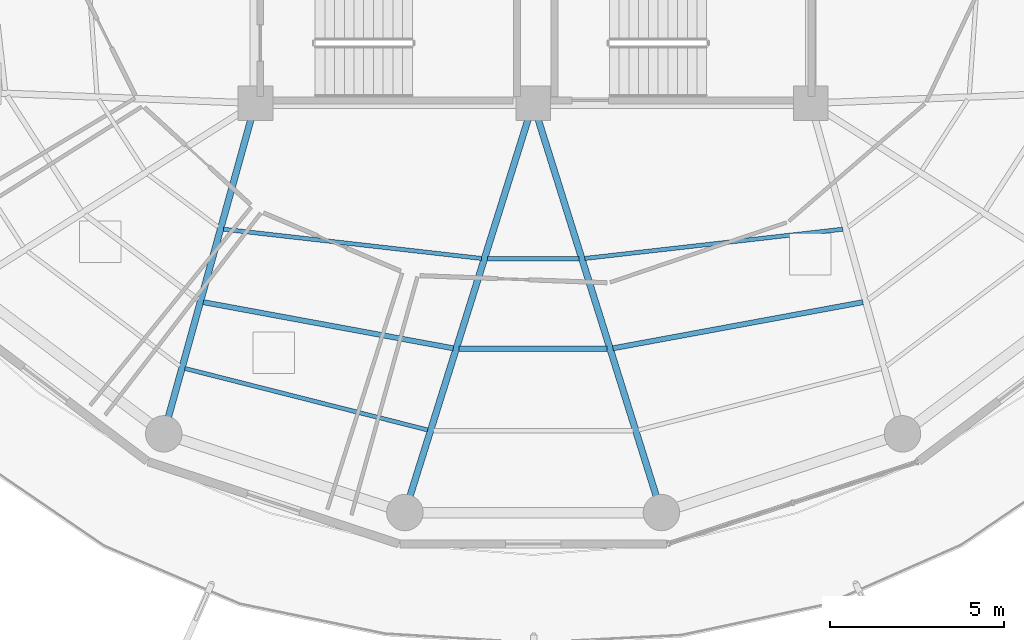
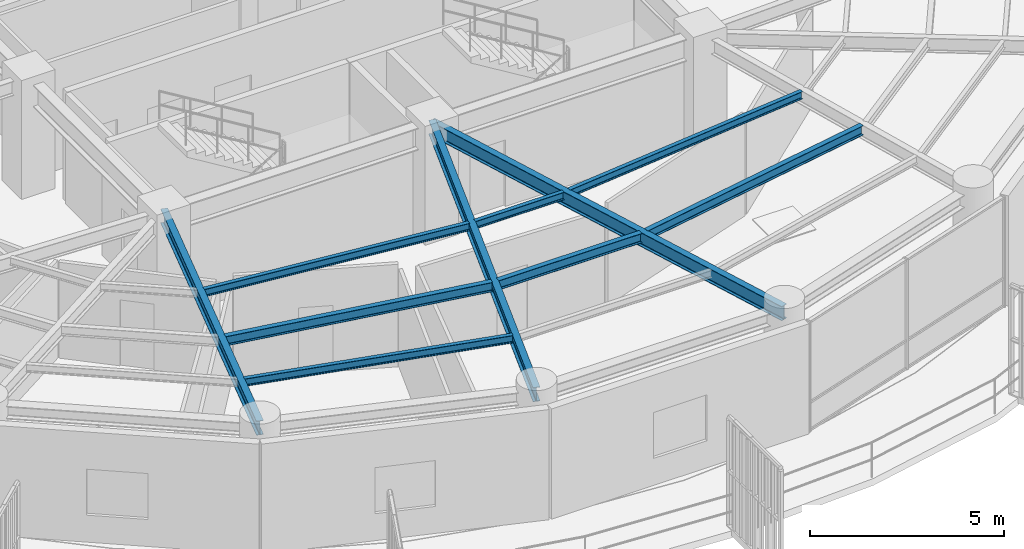
# One storey, part 5 of 31: 10 beams.
"""IFC4 building model written with IfcOpenShell, lengths in metres."""

from ifc_helpers import new_model, si_unit, direction, frame, origin, origin_2d, place, context, subcontext, project, spatial, i_section, extrude, material, material_profile, profile_set, type_object, element, save


model = new_model("IFC4")

# Units and contexts
model_context = context("Model", 3, precision=1e-05, world=origin(), true_north=direction((0.0, 1.0)))
body_context = subcontext(model_context, "Body", "Model", "MODEL_VIEW")
ifc_project = project(units=[si_unit("LENGTHUNIT", "METRE"), si_unit("AREAUNIT", "SQUARE_METRE"), si_unit("VOLUMEUNIT", "CUBIC_METRE"), si_unit("PLANEANGLEUNIT", "RADIAN"), si_unit("MASSUNIT", "GRAM", prefix="KILO")], contexts=[model_context])

# Site, building, storey
site_placement = place(None, origin())
site = spatial("IfcSite", under=ifc_project, at=site_placement, CompositionType="ELEMENT")
building_placement = place(site_placement, origin())
building = spatial("IfcBuilding", under=site, at=building_placement, Name="Kelanora Arch Commons", CompositionType="ELEMENT")
storey_placement = place(building_placement, frame((0.0, 0.0, 223.199951171875)))
storey = spatial("IfcBuildingStorey", under=building, at=storey_placement, Name="L57", CompositionType="ELEMENT", Elevation=223.199951171875)

# Beams
ifc_material = material(Name="Steel S355", Category="steel")
ifc_material_profile_1 = material_profile(ifc_material, i_section(OverallWidth=0.14990234375, OverallDepth=0.300048828125, WebThickness=0.007080078125, FlangeThickness=0.0107421875, FilletRadius=0.014892578125, at=origin_2d()), Name="IPE300")
ifc_profile_set_1 = profile_set([ifc_material_profile_1], Name="Steel S355")
beam_type_1 = type_object("IfcBeamType", Name="BM-JST-01", PredefinedType="JOIST", material=ifc_profile_set_1)
beam_1_placement = place(storey_placement, frame((64.49951171875, 45.270263671875, 3.340087890625), z_axis=(0.983389964671, -0.181505309519, 0.0), x_axis=(0.181505309519, 0.983389964671, 0.0)))
element("IfcBeam", 1, at=beam_1_placement, inside=storey, type_object=beam_type_1, Name="Secondary Chord Joist BJB-24 L57", PredefinedType="JOIST", context=body_context, shape_type="SweptSolid", body=[
    extrude(i_section(OverallWidth=0.14990234375, OverallDepth=0.300048828125, WebThickness=0.007080078125, FlangeThickness=0.0107421875, FilletRadius=0.014892578125, at=origin_2d()), origin(), (0.0, 0.0, 1.0), 7.3212890625),
])
beam_2_placement = place(storey_placement, frame((71.867919921875, 43.92578125, 3.340087890625), z_axis=(1.0, 0.0, 0.0), x_axis=(0.0, 1.0, 0.0)))
element("IfcBeam", 2, at=beam_2_placement, inside=storey, type_object=beam_type_1, Name="Secondary Chord Joist BJB-26 L57", PredefinedType="JOIST", context=body_context, shape_type="SweptSolid", body=[
    extrude(i_section(OverallWidth=0.14990234375, OverallDepth=0.300048828125, WebThickness=0.007080078125, FlangeThickness=0.0107421875, FilletRadius=0.014892578125, at=origin_2d()), origin(), (0.0, 0.0, 1.0), 4.26416015625),
])
beam_3_placement = place(storey_placement, frame((76.30078125, 43.94140625, 3.340087890625), z_axis=(0.983389964671, 0.181505309519, 0.0), x_axis=(-0.181505309519, 0.983389964671, 0.0)))
element("IfcBeam", 3, at=beam_3_placement, inside=storey, type_object=beam_type_1, Name="Secondary Chord Joist BJB-28 L57", PredefinedType="JOIST", context=body_context, shape_type="SweptSolid", body=[
    extrude(i_section(OverallWidth=0.14990234375, OverallDepth=0.300048828125, WebThickness=0.007080078125, FlangeThickness=0.0107421875, FilletRadius=0.014892578125, at=origin_2d()), origin(), (0.0, 0.0, 1.0), 7.3212890625),
])
ifc_material_profile_2 = material_profile(ifc_material, i_section(OverallWidth=0.1201171875, OverallDepth=0.239990234375, WebThickness=0.006103515625, FlangeThickness=0.009765625, FilletRadius=0.014892578125, at=origin_2d()), Name="IPE240")
ifc_profile_set_2 = profile_set([ifc_material_profile_2], Name="Steel S355")
beam_type_2 = type_object("IfcBeamType", Name="BM-JST-02", PredefinedType="JOIST", material=ifc_profile_set_2)
beam_4_placement = place(storey_placement, frame((65.081298828125, 47.371337890625, 3.3701171875), z_axis=(0.993639672263, -0.11260640171, 0.0), x_axis=(0.11260640171, 0.993639672263, 0.0)))
element("IfcBeam", 4, at=beam_4_placement, inside=storey, type_object=beam_type_2, Name="Secondary Chord Joist BJA-24 L57", PredefinedType="JOIST", context=body_context, shape_type="SweptSolid", body=[
    extrude(i_section(OverallWidth=0.1201171875, OverallDepth=0.239990234375, WebThickness=0.006103515625, FlangeThickness=0.009765625, FilletRadius=0.014892578125, at=origin_2d()), origin(), (0.0, 0.0, 1.0), 7.477783203125),
])
beam_5_placement = place(storey_placement, frame((63.970458984375, 43.360107421875, 3.3701171875), z_axis=(0.969370989998, -0.245601066263, 0.0), x_axis=(0.245601066263, 0.969370989998, 0.0)))
element("IfcBeam", 5, at=beam_5_placement, inside=storey, type_object=beam_type_2, Name="Secondary Chord Joist BJC-24 L57", PredefinedType="JOIST", context=body_context, shape_type="SweptSolid", body=[
    extrude(i_section(OverallWidth=0.1201171875, OverallDepth=0.239990234375, WebThickness=0.006103515625, FlangeThickness=0.009765625, FilletRadius=0.014892578125, at=origin_2d()), origin(), (0.0, 0.0, 1.0), 7.2119140625),
])
beam_6_placement = place(storey_placement, frame((72.680908203125, 46.519775390625, 3.3701171875), z_axis=(1.0, 0.0, 0.0), x_axis=(0.0, 1.0, 0.0)))
element("IfcBeam", 6, at=beam_6_placement, inside=storey, type_object=beam_type_2, Name="Secondary Chord Joist BJA-26 L57", PredefinedType="JOIST", context=body_context, shape_type="SweptSolid", body=[
    extrude(i_section(OverallWidth=0.1201171875, OverallDepth=0.239990234375, WebThickness=0.006103515625, FlangeThickness=0.009765625, FilletRadius=0.014892578125, at=origin_2d()), origin(), (0.0, 0.0, 1.0), 2.63818359375),
])
beam_7_placement = place(storey_placement, frame((75.488525390625, 46.529296875, 3.3701171875), z_axis=(0.993639672263, 0.11260640171, 0.0), x_axis=(-0.11260640171, 0.993639672263, 0.0)))
element("IfcBeam", 7, at=beam_7_placement, inside=storey, type_object=beam_type_2, Name="Secondary Chord Joist BJA-28 L57", PredefinedType="JOIST", context=body_context, shape_type="SweptSolid", body=[
    extrude(i_section(OverallWidth=0.1201171875, OverallDepth=0.239990234375, WebThickness=0.006103515625, FlangeThickness=0.009765625, FilletRadius=0.014892578125, at=origin_2d()), origin(), (0.0, 0.0, 1.0), 7.477783203125),
])
ifc_material_profile_3 = material_profile(ifc_material, i_section(OverallWidth=0.18994140625, OverallDepth=0.449951171875, WebThickness=0.009521484375, FlangeThickness=0.0146484375, FilletRadius=0.02099609375, at=origin_2d()), Name="IPE450")
ifc_profile_set_3 = profile_set([ifc_material_profile_3], Name="Steel S355")
beam_type_3 = type_object("IfcBeamType", Name="BM-RAD-Z4", PredefinedType="BEAM", material=ifc_profile_set_3)
beam_8_placement = place(storey_placement, frame((66.0, 51.0, 3.26513671875), z_axis=(-0.267120164296, -0.963663228429, 0.0), x_axis=(0.963663228429, -0.267120164296, 0.0)))
element("IfcBeam", 8, at=beam_8_placement, inside=storey, type_object=beam_type_3, Name="Radial Floor Girder BR-24 L57", PredefinedType="BEAM", context=body_context, shape_type="SweptSolid", body=[
    extrude(i_section(OverallWidth=0.18994140625, OverallDepth=0.449951171875, WebThickness=0.009521484375, FlangeThickness=0.0146484375, FilletRadius=0.02099609375, at=origin_2d()), origin(), (0.0, 0.0, 1.0), 9.8828125),
])
for number, where, z_axis, x_axis, name in (
    (9, (74.0, 51.0, 3.26513671875), (-0.299080457492, -0.954227897279, 0.0), (0.954227897279, -0.299080457492, 0.0), "Radial Floor Girder BR-26 L57"),
    (10, (74.0, 51.0, 3.26513671875), (0.299080457492, -0.954227897279, 0.0), (0.954227897279, 0.299080457492, 0.0), "Radial Floor Girder BR-28 L57"),
):
    element("IfcBeam", number, at=place(storey_placement, frame(where, z_axis=z_axis, x_axis=x_axis)), inside=storey, type_object=beam_type_3, Name=name, PredefinedType="BEAM", context=body_context, shape_type="SweptSolid", body=[
        extrude(i_section(OverallWidth=0.18994140625, OverallDepth=0.449951171875, WebThickness=0.009521484375, FlangeThickness=0.0146484375, FilletRadius=0.02099609375, at=origin_2d()), origin(), (0.0, 0.0, 1.0), 12.35546875),
    ])

save(model, "model.ifc")
